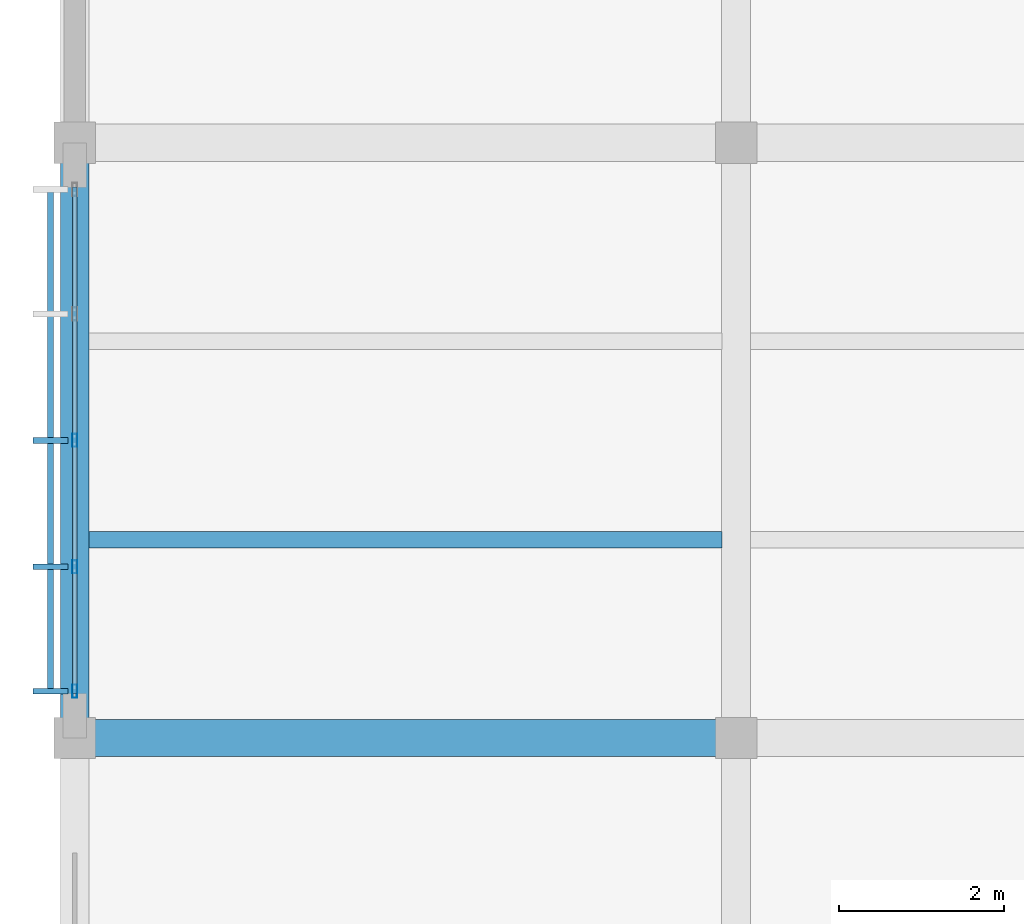
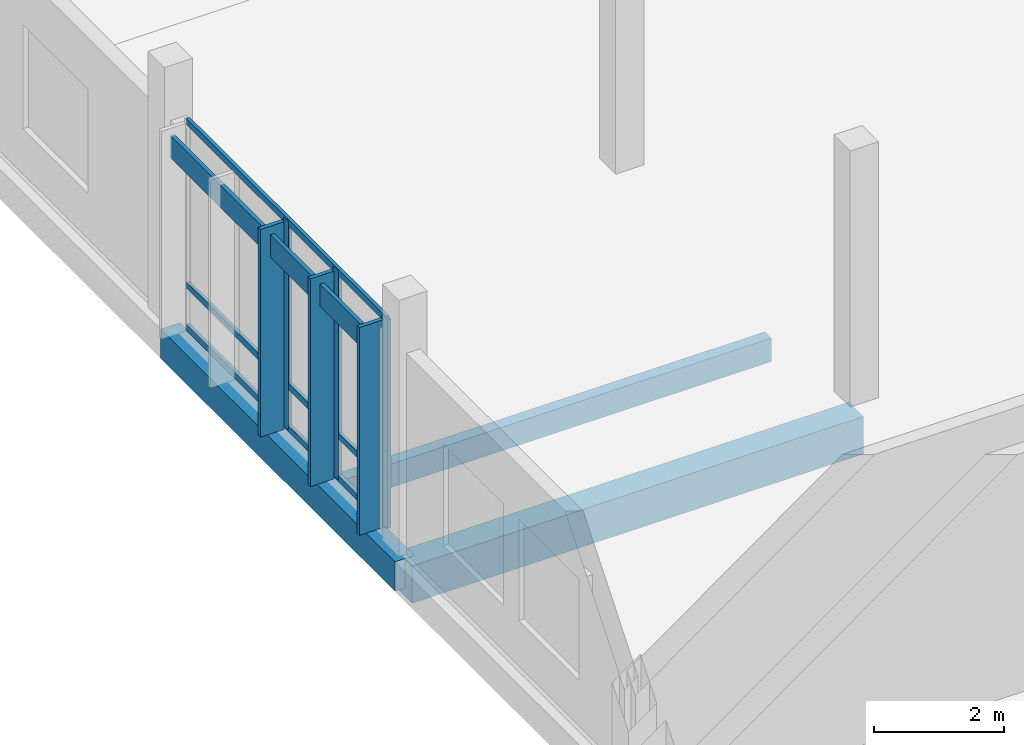
# One storey, part 32 of 177: 10 members, 3 beams, 1 element without a shape of its own.
"""IFC4 building model written with IfcOpenShell, lengths in metres."""

from ifc_helpers import new_model, si_unit, direction, frame, origin, origin_2d, place, context, subcontext, project, spatial, rectangle, hollow_rectangle, extrude, material, material_profile, profile_set, type_object, element, aggregate, save


model = new_model("IFC4")

# Units and contexts
model_context = context("Model", 3, precision=1e-05, world=origin(), true_north=direction((0.0, 1.0)))
body_context = subcontext(model_context, "Body", "Model", "MODEL_VIEW")
ifc_project = project(units=[si_unit("LENGTHUNIT", "METRE"), si_unit("AREAUNIT", "SQUARE_METRE"), si_unit("VOLUMEUNIT", "CUBIC_METRE"), si_unit("PLANEANGLEUNIT", "RADIAN"), si_unit("MASSUNIT", "GRAM", prefix="KILO")], contexts=[model_context])

# Site, building, storey
site_placement = place(None, origin())
site = spatial("IfcSite", under=ifc_project, at=site_placement, CompositionType="ELEMENT")
building_placement = place(site_placement, origin())
building = spatial("IfcBuilding", under=site, at=building_placement, Name="Chiffa Square Polytechnic", CompositionType="ELEMENT")
storey_placement = place(building_placement, frame((0.0, 0.0, 4.800048828125)))
storey = spatial("IfcBuildingStorey", under=building, at=storey_placement, Name="L01", CompositionType="ELEMENT", Elevation=4.800048828125)

# Beams
ifc_material_1 = material(Name="Concrete C35/45", Category="concrete")
ifc_material_profile_1 = material_profile(ifc_material_1, rectangle(XDim=0.35009765625, YDim=0.550048828125, at=origin_2d()), Name="RC 350x550")
ifc_profile_set_1 = profile_set([ifc_material_profile_1], Name="Concrete C35/45")
beam_type_1 = type_object("IfcBeamType", Name="BM-RC-350X550", PredefinedType="BEAM", material=ifc_profile_set_1)
beam_1_placement = place(storey_placement, frame((0.0, 43.800048828125, -0.554931640625), z_axis=(0.0, 1.0, 0.0), x_axis=(-1.0, 0.0, 0.0)))
element("IfcBeam", 1, at=beam_1_placement, inside=storey, type_object=beam_type_1, Name="Primary floor girder BM-V6-L01-Y-0000-0438", PredefinedType="BEAM", context=body_context, shape_type="SweptSolid", body=[
    extrude(rectangle(XDim=0.35009765625, YDim=0.550048828125, at=origin_2d()), origin(), (0.0, 0.0, 1.0), 7.199951171875),
])
ifc_material_profile_2 = material_profile(ifc_material_1, rectangle(XDim=0.449951171875, YDim=0.699951171875, at=origin_2d()), Name="RC 450x700")
ifc_profile_set_2 = profile_set([ifc_material_profile_2], Name="Concrete C35/45")
beam_type_2 = type_object("IfcBeamType", Name="BM-RC-450X700", PredefinedType="BEAM", material=ifc_profile_set_2)
beam_2_placement = place(storey_placement, frame((0.0, 43.800048828125, -0.630126953125), z_axis=(1.0, 0.0, 0.0), x_axis=(0.0, 1.0, 0.0)))
element("IfcBeam", 2, at=beam_2_placement, inside=storey, type_object=beam_type_2, Name="Primary floor girder BM-V6-L01-X-0000-0438", PredefinedType="BEAM", context=body_context, shape_type="SweptSolid", body=[
    extrude(rectangle(XDim=0.449951171875, YDim=0.699951171875, at=origin_2d()), origin(), (0.0, 0.0, 1.0), 8.0),
])

# Curtain wall, members
ifc_material_2 = material(Name="Aluminium EN AW-6060 T66 and glulam shading", Category="wood")
curtain_wall_type = type_object("IfcCurtainWallType", Name="CW-VERT-480X380", PredefinedType="USERDEFINED", material=ifc_material_2)
curtain_wall_placement = place(storey_placement, origin())
curtain_wall = element("IfcCurtainWall", 3, at=curtain_wall_placement, inside=storey, type_object=curtain_wall_type, Name="Curtain wall CW-V6-L01-262", ObjectType="CURTAIN WALL", PredefinedType="USERDEFINED")
ifc_material_3 = material(Name="Aluminium EN AW-6060 T66", Category="aluminium")
ifc_material_profile_3 = material_profile(ifc_material_3, hollow_rectangle(XDim=0.06005859375, YDim=0.159912109375, WallThickness=0.00390625, at=origin_2d()), Name="ALU 60x160x4")
ifc_profile_set_3 = profile_set([ifc_material_profile_3], Name="Aluminium EN AW-6060 T66")
member_type_1 = type_object("IfcMemberType", Name="CWM-ALU-65X150", PredefinedType="MULLION", material=ifc_profile_set_3)
member_1_placement = place(storey_placement, frame((0.0, 47.39990234375, 0.0), z_axis=(0.0, 0.0, 1.0), x_axis=(1.0, 0.0, 0.0)))
member_1 = element("IfcMember", 4, at=member_1_placement, type_object=member_type_1, Name="Curtain wall mullion CW-V6-L01-262-M02", PredefinedType="MULLION", context=body_context, shape_type="SweptSolid", body=[
    extrude(hollow_rectangle(XDim=0.06005859375, YDim=0.159912109375, WallThickness=0.00390625, at=origin_2d()), origin(), (0.0, 0.0, 1.0), 3.9150390625),
])
member_2_placement = place(storey_placement, frame((0.0, 45.8701171875, 0.0), z_axis=(0.0, 0.0, 1.0), x_axis=(1.0, 0.0, 0.0)))
member_2 = element("IfcMember", 5, at=member_2_placement, type_object=member_type_1, Name="Curtain wall mullion CW-V6-L01-262-M03", PredefinedType="MULLION", context=body_context, shape_type="SweptSolid", body=[
    extrude(hollow_rectangle(XDim=0.06005859375, YDim=0.159912109375, WallThickness=0.00390625, at=origin_2d()), origin(), (0.0, 0.0, 1.0), 3.9150390625),
])
member_3_placement = place(storey_placement, frame((0.0, 44.364990234375, 0.0), z_axis=(0.0, 0.0, 1.0), x_axis=(1.0, 0.0, 0.0)))
member_3 = element("IfcMember", 6, at=member_3_placement, type_object=member_type_1, Name="Curtain wall mullion CW-V6-L01-262-M04", PredefinedType="MULLION", context=body_context, shape_type="SweptSolid", body=[
    extrude(hollow_rectangle(XDim=0.06005859375, YDim=0.159912109375, WallThickness=0.00390625, at=origin_2d()), origin(), (0.0, 0.0, 1.0), 3.9150390625),
])
ifc_material_4 = material(Name="Glulam GL28h", Category="wood")
ifc_material_profile_4 = material_profile(ifc_material_4, rectangle(XDim=0.070068359375, YDim=0.419921875, at=origin_2d()), Name="GL28h 70x420")
ifc_profile_set_4 = profile_set([ifc_material_profile_4], Name="Glulam GL28h")
member_type_2 = type_object("IfcMemberType", Name="CWM-GL-70X420", PredefinedType="MULLION", material=ifc_profile_set_4)
member_4_placement = place(storey_placement, frame((-0.2919921875, 47.39990234375, 0.010009765625), z_axis=(0.0, 0.0, 1.0), x_axis=(0.0, -1.0, 0.0)))
member_4 = element("IfcMember", 7, at=member_4_placement, type_object=member_type_2, Name="Exterior glulam solar fin CW-V6-L01-262-FN02", PredefinedType="MULLION", context=body_context, shape_type="SweptSolid", body=[
    extrude(rectangle(XDim=0.070068359375, YDim=0.419921875, at=origin_2d()), origin(), (0.0, 0.0, 1.0), 3.89501953125),
])
member_5_placement = place(storey_placement, frame((-0.2919921875, 45.8701171875, 0.010009765625), z_axis=(0.0, 0.0, 1.0), x_axis=(0.0, -1.0, 0.0)))
member_5 = element("IfcMember", 8, at=member_5_placement, type_object=member_type_2, Name="Exterior glulam solar fin CW-V6-L01-262-FN03", PredefinedType="MULLION", context=body_context, shape_type="SweptSolid", body=[
    extrude(rectangle(XDim=0.070068359375, YDim=0.419921875, at=origin_2d()), origin(), (0.0, 0.0, 1.0), 3.89501953125),
])
member_6_placement = place(storey_placement, frame((-0.2919921875, 44.364990234375, 0.010009765625), z_axis=(0.0, 0.0, 1.0), x_axis=(0.0, -1.0, 0.0)))
member_6 = element("IfcMember", 9, at=member_6_placement, type_object=member_type_2, Name="Exterior glulam solar fin CW-V6-L01-262-FN04", PredefinedType="MULLION", context=body_context, shape_type="SweptSolid", body=[
    extrude(rectangle(XDim=0.070068359375, YDim=0.419921875, at=origin_2d()), origin(), (0.0, 0.0, 1.0), 3.89501953125),
])
ifc_material_profile_5 = material_profile(ifc_material_3, hollow_rectangle(XDim=0.06005859375, YDim=0.1201171875, WallThickness=0.00390625, at=origin_2d()), Name="ALU 60x120x4")
ifc_profile_set_5 = profile_set([ifc_material_profile_5], Name="Aluminium EN AW-6060 T66")
member_type_3 = type_object("IfcMemberType", Name="CWT-ALU-65X120", PredefinedType="USERDEFINED", material=ifc_profile_set_5)
member_7_placement = place(storey_placement, frame((0.0, 50.4619140625, 0.030029296875), z_axis=(0.0, -1.0, 0.0), x_axis=(1.0, 0.0, 0.0)))
member_7 = element("IfcMember", 10, at=member_7_placement, type_object=member_type_3, Name="Curtain wall transom CW-V6-L01-262-T01", ObjectType="TRANSOM", PredefinedType="USERDEFINED", context=body_context, shape_type="SweptSolid", body=[
    extrude(hollow_rectangle(XDim=0.06005859375, YDim=0.1201171875, WallThickness=0.00390625, at=origin_2d()), origin(), (0.0, 0.0, 1.0), 6.1240234375),
])
member_8_placement = place(storey_placement, frame((0.0, 50.4619140625, 0.820068359375), z_axis=(0.0, -1.0, 0.0), x_axis=(1.0, 0.0, 0.0)))
member_8 = element("IfcMember", 11, at=member_8_placement, type_object=member_type_3, Name="Curtain wall transom CW-V6-L01-262-T02", ObjectType="TRANSOM", PredefinedType="USERDEFINED", context=body_context, shape_type="SweptSolid", body=[
    extrude(hollow_rectangle(XDim=0.06005859375, YDim=0.1201171875, WallThickness=0.00390625, at=origin_2d()), origin(), (0.0, 0.0, 1.0), 6.1240234375),
])
member_9_placement = place(storey_placement, frame((0.0, 50.4619140625, 3.885009765625), z_axis=(0.0, -1.0, 0.0), x_axis=(1.0, 0.0, 0.0)))
member_9 = element("IfcMember", 12, at=member_9_placement, type_object=member_type_3, Name="Curtain wall transom CW-V6-L01-262-T03", ObjectType="TRANSOM", PredefinedType="USERDEFINED", context=body_context, shape_type="SweptSolid", body=[
    extrude(hollow_rectangle(XDim=0.06005859375, YDim=0.1201171875, WallThickness=0.00390625, at=origin_2d()), origin(), (0.0, 0.0, 1.0), 6.1240234375),
])
ifc_material_profile_6 = material_profile(ifc_material_4, rectangle(XDim=0.070068359375, YDim=0.419921875, at=origin_2d()), Name="GL28h 70x420")
ifc_profile_set_6 = profile_set([ifc_material_profile_6], Name="Glulam GL28h")
member_type_4 = type_object("IfcMemberType", Name="CWT-GL-70X420", PredefinedType="USERDEFINED", material=ifc_profile_set_6)
member_10_placement = place(storey_placement, frame((-0.2919921875, 50.43505859375, 3.534912109375), z_axis=(0.0, -1.0, 0.0), x_axis=(1.0, 0.0, 0.0)))
member_10 = element("IfcMember", 13, at=member_10_placement, type_object=member_type_4, Name="Exterior glulam brise-soleil CW-V6-L01-262-BS01", ObjectType="TRANSOM", PredefinedType="USERDEFINED", context=body_context, shape_type="SweptSolid", body=[
    extrude(rectangle(XDim=0.070068359375, YDim=0.419921875, at=origin_2d()), origin(), (0.0, 0.0, 1.0), 6.070068359375),
])
aggregate(curtain_wall, [member_1, member_4, member_2, member_5, member_3, member_6, member_7, member_8, member_9, member_10])

# Beam
ifc_material_profile_7 = material_profile(ifc_material_4, rectangle(XDim=0.199951171875, YDim=0.43994140625, at=origin_2d()), Name="GL28h 200x440")
ifc_profile_set_7 = profile_set([ifc_material_profile_7], Name="Glulam GL28h")
beam_type_3 = type_object("IfcBeamType", Name="JST-GL-200X440", PredefinedType="JOIST", material=ifc_profile_set_7)
beam_3_placement = place(storey_placement, frame((0.173095703125, 46.199951171875, -0.5), z_axis=(1.0, 0.0, 0.0), x_axis=(0.0, 1.0, 0.0)))
element("IfcBeam", 14, at=beam_3_placement, inside=storey, type_object=beam_type_3, Name="Secondary floor joist JST-V6-L01-0000-0462", PredefinedType="JOIST", context=body_context, shape_type="SweptSolid", body=[
    extrude(rectangle(XDim=0.199951171875, YDim=0.43994140625, at=origin_2d()), origin(), (0.0, 0.0, 1.0), 7.65380859375),
])

save(model, "model.ifc")
